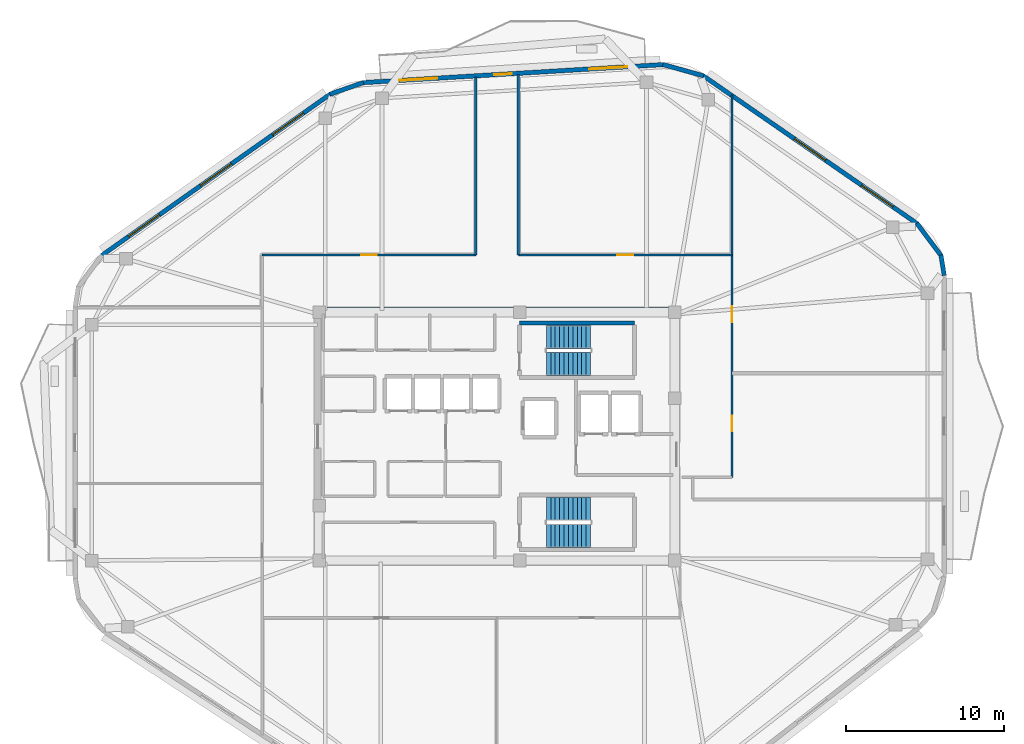
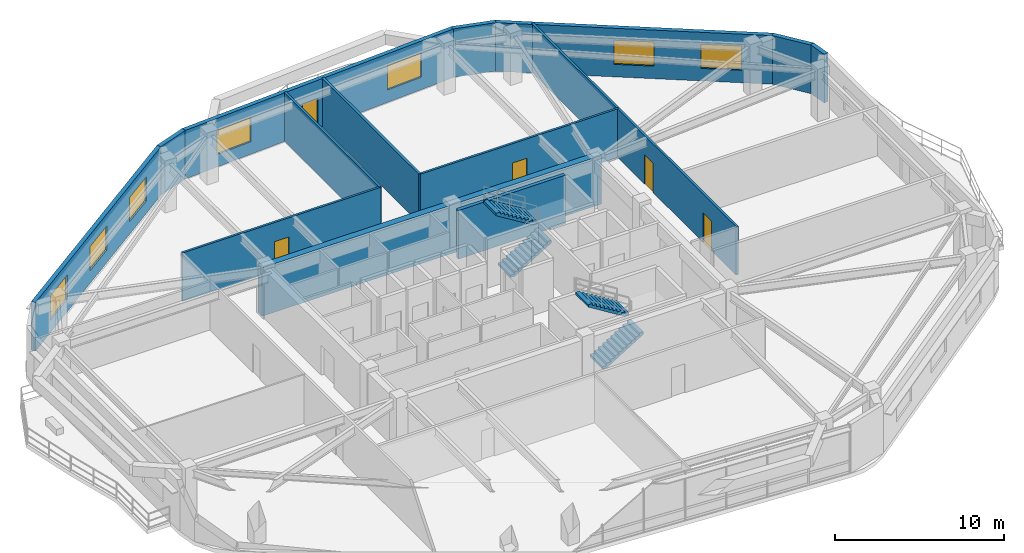
# One storey, part 9 of 12: 14 walls, 7 windows, 5 doors, 4 stair flights, 12 openings, 2 elements without a shape of their own.
"""IFC4 building model written with IfcOpenShell, lengths in metres."""

from ifc_helpers import new_model, si_unit, direction, frame, frame_2d, origin, place, context, subcontext, project, spatial, polyline, rectangle, outline, extrude, material, layer, layer_set, type_object, element, fill, aggregate, save


model = new_model("IFC4")

# Units and contexts
model_context = context("Model", 3, precision=1e-05, world=origin(), true_north=direction((0.0, 1.0)))
body_context = subcontext(model_context, "Body", "Model", "MODEL_VIEW")
ifc_project = project(units=[si_unit("LENGTHUNIT", "METRE"), si_unit("AREAUNIT", "SQUARE_METRE"), si_unit("VOLUMEUNIT", "CUBIC_METRE"), si_unit("PLANEANGLEUNIT", "RADIAN"), si_unit("MASSUNIT", "GRAM", prefix="KILO")], contexts=[model_context])

# Site, building, storey
site_placement = place(None, origin())
site = spatial("IfcSite", under=ifc_project, at=site_placement, CompositionType="ELEMENT")
building_placement = place(site_placement, origin())
building = spatial("IfcBuilding", under=site, at=building_placement, Name="Zulverin Broadcast Headquarters", CompositionType="ELEMENT")
storey_placement = place(building_placement, frame((0.0, 0.0, 232.60009765625)))
storey = spatial("IfcBuildingStorey", under=building, at=storey_placement, Name="L59", CompositionType="ELEMENT", Elevation=232.60009765625)

# Wall
ifc_material_1 = material(Name="Concrete C50/60", Category="concrete")
ifc_layer_1 = layer(ifc_material_1, 0.449951171875, Name="Concrete C50/60", Category="concrete")
ifc_layer_set_1 = layer_set([ifc_layer_1], Name="Concrete C50/60")
wall_type_1 = type_object("IfcWallType", Name="WL-CORE-450", PredefinedType="SHEAR", material=ifc_layer_set_1)
wall_1_placement = place(storey_placement, frame((25.39990234375, 33.175048828125, 0.0), z_axis=(0.0, 0.0, 1.0), x_axis=(1.0, 0.0, 0.0)))
element("IfcWall", 1, at=wall_1_placement, inside=storey, type_object=wall_type_1, Name="L59 Core North Shear Wall", PredefinedType="SHEAR", context=body_context, shape_type="SweptSolid", body=[
    extrude(rectangle(XDim=23.2001953125, YDim=0.449951171875, at=frame_2d((11.60009765625, 0.0))), origin(), (0.0, 0.0, 1.0), 3.510009765625),
])

# Wall, openings, windows
ifc_material_2 = material(Name="Insulated pale-metal clad concrete spandrel C40/50", Category="concrete")
ifc_layer_2 = layer(ifc_material_2, 0.280029296875, Name="Insulated pale-metal clad concrete spandrel C40/50", Category="concrete")
ifc_layer_set_2 = layer_set([ifc_layer_2], Name="Insulated pale-metal clad concrete spandrel C40/50")
wall_type_2 = type_object("IfcWallType", Name="WL-EXT-280", PredefinedType="STANDARD", material=ifc_layer_set_2)
wall_2_placement = place(storey_placement, frame((63.6513671875, 38.683349609375, 0.0), z_axis=(0.0, 0.0, 1.0), x_axis=(-0.822655095, 0.568540759022, 0.0)))
wall_2 = element("IfcWall", 2, at=wall_2_placement, inside=storey, type_object=wall_type_2, Name="L59 Pale-Metal Clad Spandrel Wall 4", PredefinedType="STANDARD", context=body_context, shape_type="SweptSolid", body=[
    extrude(rectangle(XDim=16.52783203125, YDim=0.280029296875, at=frame_2d((8.263916015625, 0.0))), origin(), (0.0, 0.0, 1.0), 3.510009765625),
])
opening_1_placement = place(wall_2_placement, frame((1.887939453125, 0.0, 0.89990234375)))
opening_1 = element("IfcOpeningElement", 3, at=opening_1_placement, cuts=wall_2, Name="Opening W-L59-E41", PredefinedType="OPENING", context=body_context, shape_type="SweptSolid", body=[
    extrude(rectangle(XDim=2.39990234375, YDim=1.75, at=frame_2d((1.199951171875, 0.875))), frame((0.0, 0.14990234375, 0.0), z_axis=(0.0, -1.0, 0.0), x_axis=(1.0, 0.0, 0.0)), (0.0, 0.0, 1.0), 0.300048828125),
])
opening_2_placement = place(wall_2_placement, frame((7.06396484375, 0.0, 0.89990234375)))
opening_2 = element("IfcOpeningElement", 4, at=opening_2_placement, cuts=wall_2, Name="Opening W-L59-E42", PredefinedType="OPENING", context=body_context, shape_type="SweptSolid", body=[
    extrude(rectangle(XDim=2.39990234375, YDim=1.75, at=frame_2d((1.199951171875, 0.875))), frame((0.0, 0.14990234375, 0.0), z_axis=(0.0, -1.0, 0.0), x_axis=(1.0, 0.0, 0.0)), (0.0, 0.0, 1.0), 0.300048828125),
])
ifc_material_3 = material(Name="Pale anodized aluminium frame with solar-control low-E double glazing", Category="aluminium")
window_type = type_object("IfcWindowType", Name="WIN-RIB-2400", PartitioningType="SINGLE_PANEL", PredefinedType="WINDOW", material=ifc_material_3)
window_1_placement = place(opening_1_placement, origin())
window_1 = element("IfcWindow", 5, at=window_1_placement, inside=storey, type_object=window_type, Name="L59 Ribbon Glazing Window 4 1", OverallHeight=1.75, OverallWidth=2.39990234375, PartitioningType="SINGLE_PANEL", PredefinedType="WINDOW", context=body_context, shape_type="SweptSolid", body=[
    extrude(rectangle(XDim=2.39990234375, YDim=1.75, at=frame_2d((1.199951171875, 0.875))), frame((0.0, 0.030029296875, 0.0), z_axis=(0.0, -1.0, 0.0), x_axis=(1.0, 0.0, 0.0)), (0.0, 0.0, 1.0), 0.06005859375),
])
fill(opening_1, window_1)
window_2_placement = place(opening_2_placement, origin())
window_2 = element("IfcWindow", 6, at=window_2_placement, inside=storey, type_object=window_type, Name="L59 Ribbon Glazing Window 4 2", OverallHeight=1.75, OverallWidth=2.39990234375, PartitioningType="SINGLE_PANEL", PredefinedType="WINDOW", context=body_context, shape_type="SweptSolid", body=[
    extrude(rectangle(XDim=2.39990234375, YDim=1.75, at=frame_2d((1.199951171875, 0.875))), frame((0.0, 0.030029296875, 0.0), z_axis=(0.0, -1.0, 0.0), x_axis=(1.0, 0.0, 0.0)), (0.0, 0.0, 1.0), 0.06005859375),
])
fill(opening_2, window_2)

# Wall, openings, door, windows
wall_3_placement = place(storey_placement, frame((47.56591796875, 48.775390625, 0.0), z_axis=(0.0, 0.0, 1.0), x_axis=(-0.998202767485, -0.059926913695, 0.0)))
wall_3 = element("IfcWall", 7, at=wall_3_placement, inside=storey, type_object=wall_type_2, Name="L59 Pale-Metal Clad Spandrel Wall 5", PredefinedType="STANDARD", context=body_context, shape_type="SweptSolid", body=[
    extrude(rectangle(XDim=19.111083984375, YDim=0.280029296875, at=frame_2d((9.5556640625, 0.0))), origin(), (0.0, 0.0, 1.0), 3.510009765625),
])
opening_3_placement = place(wall_3_placement, frame((9.655517578125, 0.0, 0.0)))
opening_3 = element("IfcOpeningElement", 8, at=opening_3_placement, cuts=wall_3, Name="Opening D-L59-TR5", PredefinedType="OPENING", context=body_context, shape_type="SweptSolid", body=[
    extrude(rectangle(XDim=1.10009765625, YDim=2.199951171875, at=frame_2d((0.550048828125, 1.10009765625))), frame((0.0, 0.14990234375, 0.0), z_axis=(0.0, -1.0, 0.0), x_axis=(1.0, 0.0, 0.0)), (0.0, 0.0, 1.0), 0.300048828125),
])
opening_4_placement = place(wall_3_placement, frame((2.318603515625, 0.0, 0.89990234375)))
opening_4 = element("IfcOpeningElement", 9, at=opening_4_placement, cuts=wall_3, Name="Opening W-L59-E51", PredefinedType="OPENING", context=body_context, shape_type="SweptSolid", body=[
    extrude(rectangle(XDim=2.39990234375, YDim=1.75, at=frame_2d((1.199951171875, 0.875))), frame((0.0, 0.14990234375, 0.0), z_axis=(0.0, -1.0, 0.0), x_axis=(1.0, 0.0, 0.0)), (0.0, 0.0, 1.0), 0.300048828125),
])
opening_5_placement = place(wall_3_placement, frame((14.392333984375, 0.0, 0.89990234375)))
opening_5 = element("IfcOpeningElement", 10, at=opening_5_placement, cuts=wall_3, Name="Opening W-L59-E52", PredefinedType="OPENING", context=body_context, shape_type="SweptSolid", body=[
    extrude(rectangle(XDim=2.39990234375, YDim=1.75, at=frame_2d((1.199951171875, 0.875))), frame((0.0, 0.14990234375, 0.0), z_axis=(0.0, -1.0, 0.0), x_axis=(1.0, 0.0, 0.0)), (0.0, 0.0, 1.0), 0.300048828125),
])
ifc_material_4 = material(Name="Thermally broken aluminium glazed", Category="aluminium")
door_type_1 = type_object("IfcDoorType", Name="DR-TERR-1100", OperationType="SINGLE_SWING_RIGHT", PredefinedType="DOOR", material=ifc_material_4)
door_1_placement = place(opening_3_placement, origin())
door_1 = element("IfcDoor", 11, at=door_1_placement, inside=storey, type_object=door_type_1, Name="L59 Planted Terrace Glazed Access Door 5", OperationType="SINGLE_SWING_RIGHT", OverallHeight=2.199951171875, OverallWidth=1.10009765625, PredefinedType="DOOR", context=body_context, shape_type="SweptSolid", body=[
    extrude(rectangle(XDim=1.10009765625, YDim=2.199951171875, at=frame_2d((0.550048828125, 1.10009765625))), frame((0.0, 0.02490234375, 0.0), z_axis=(0.0, -1.0, 0.0), x_axis=(1.0, 0.0, 0.0)), (0.0, 0.0, 1.0), 0.050048828125),
])
fill(opening_3, door_1)
window_3_placement = place(opening_4_placement, origin())
window_3 = element("IfcWindow", 12, at=window_3_placement, inside=storey, type_object=window_type, Name="L59 Ribbon Glazing Window 5 1", OverallHeight=1.75, OverallWidth=2.39990234375, PartitioningType="SINGLE_PANEL", PredefinedType="WINDOW", context=body_context, shape_type="SweptSolid", body=[
    extrude(rectangle(XDim=2.39990234375, YDim=1.75, at=frame_2d((1.199951171875, 0.875))), frame((0.0, 0.030029296875, 0.0), z_axis=(0.0, -1.0, 0.0), x_axis=(1.0, 0.0, 0.0)), (0.0, 0.0, 1.0), 0.06005859375),
])
fill(opening_4, window_3)
window_4_placement = place(opening_5_placement, origin())
window_4 = element("IfcWindow", 13, at=window_4_placement, inside=storey, type_object=window_type, Name="L59 Ribbon Glazing Window 5 2", OverallHeight=1.75, OverallWidth=2.39990234375, PartitioningType="SINGLE_PANEL", PredefinedType="WINDOW", context=body_context, shape_type="SweptSolid", body=[
    extrude(rectangle(XDim=2.39990234375, YDim=1.75, at=frame_2d((1.199951171875, 0.875))), frame((0.0, 0.030029296875, 0.0), z_axis=(0.0, -1.0, 0.0), x_axis=(1.0, 0.0, 0.0)), (0.0, 0.0, 1.0), 0.06005859375),
])
fill(opening_5, window_4)

# Wall, openings, windows
wall_4_placement = place(storey_placement, frame((26.443115234375, 46.91259765625, 0.0), z_axis=(0.0, 0.0, 1.0), x_axis=(-0.817024179766, -0.576603407619, 0.0)))
wall_4 = element("IfcWall", 14, at=wall_4_placement, inside=storey, type_object=wall_type_2, Name="L59 Pale-Metal Clad Spandrel Wall 6", PredefinedType="STANDARD", context=body_context, shape_type="SweptSolid", body=[
    extrude(rectangle(XDim=17.77978515625, YDim=0.280029296875, at=frame_2d((8.889892578125, 0.0))), origin(), (0.0, 0.0, 1.0), 3.510009765625),
])
opening_6_placement = place(wall_4_placement, frame((2.0966796875, 0.0, 0.89990234375)))
opening_6 = element("IfcOpeningElement", 15, at=opening_6_placement, cuts=wall_4, Name="Opening W-L59-E61", PredefinedType="OPENING", context=body_context, shape_type="SweptSolid", body=[
    extrude(rectangle(XDim=2.39990234375, YDim=1.75, at=frame_2d((1.199951171875, 0.875))), frame((0.0, 0.14990234375, 0.0), z_axis=(0.0, -1.0, 0.0), x_axis=(1.0, 0.0, 0.0)), (0.0, 0.0, 1.0), 0.300048828125),
])
opening_7_placement = place(wall_4_placement, frame((7.68994140625, 0.0, 0.89990234375)))
opening_7 = element("IfcOpeningElement", 16, at=opening_7_placement, cuts=wall_4, Name="Opening W-L59-E62", PredefinedType="OPENING", context=body_context, shape_type="SweptSolid", body=[
    extrude(rectangle(XDim=2.39990234375, YDim=1.75, at=frame_2d((1.199951171875, 0.875))), frame((0.0, 0.14990234375, 0.0), z_axis=(0.0, -1.0, 0.0), x_axis=(1.0, 0.0, 0.0)), (0.0, 0.0, 1.0), 0.300048828125),
])
opening_8_placement = place(wall_4_placement, frame((13.283203125, 0.0, 0.89990234375)))
opening_8 = element("IfcOpeningElement", 17, at=opening_8_placement, cuts=wall_4, Name="Opening W-L59-E63", PredefinedType="OPENING", context=body_context, shape_type="SweptSolid", body=[
    extrude(rectangle(XDim=2.39990234375, YDim=1.75, at=frame_2d((1.199951171875, 0.875))), frame((0.0, 0.14990234375, 0.0), z_axis=(0.0, -1.0, 0.0), x_axis=(1.0, 0.0, 0.0)), (0.0, 0.0, 1.0), 0.300048828125),
])
window_5_placement = place(opening_6_placement, origin())
window_5 = element("IfcWindow", 18, at=window_5_placement, inside=storey, type_object=window_type, Name="L59 Ribbon Glazing Window 6 1", OverallHeight=1.75, OverallWidth=2.39990234375, PartitioningType="SINGLE_PANEL", PredefinedType="WINDOW", context=body_context, shape_type="SweptSolid", body=[
    extrude(rectangle(XDim=2.39990234375, YDim=1.75, at=frame_2d((1.199951171875, 0.875))), frame((0.0, 0.030029296875, 0.0), z_axis=(0.0, -1.0, 0.0), x_axis=(1.0, 0.0, 0.0)), (0.0, 0.0, 1.0), 0.06005859375),
])
fill(opening_6, window_5)
window_6_placement = place(opening_7_placement, origin())
window_6 = element("IfcWindow", 19, at=window_6_placement, inside=storey, type_object=window_type, Name="L59 Ribbon Glazing Window 6 2", OverallHeight=1.75, OverallWidth=2.39990234375, PartitioningType="SINGLE_PANEL", PredefinedType="WINDOW", context=body_context, shape_type="SweptSolid", body=[
    extrude(rectangle(XDim=2.39990234375, YDim=1.75, at=frame_2d((1.199951171875, 0.875))), frame((0.0, 0.030029296875, 0.0), z_axis=(0.0, -1.0, 0.0), x_axis=(1.0, 0.0, 0.0)), (0.0, 0.0, 1.0), 0.06005859375),
])
fill(opening_7, window_6)
window_7_placement = place(opening_8_placement, origin())
window_7 = element("IfcWindow", 20, at=window_7_placement, inside=storey, type_object=window_type, Name="L59 Ribbon Glazing Window 6 3", OverallHeight=1.75, OverallWidth=2.39990234375, PartitioningType="SINGLE_PANEL", PredefinedType="WINDOW", context=body_context, shape_type="SweptSolid", body=[
    extrude(rectangle(XDim=2.39990234375, YDim=1.75, at=frame_2d((1.199951171875, 0.875))), frame((0.0, 0.030029296875, 0.0), z_axis=(0.0, -1.0, 0.0), x_axis=(1.0, 0.0, 0.0)), (0.0, 0.0, 1.0), 0.06005859375),
])
fill(opening_8, window_7)

# Walls
wall_5_placement = place(storey_placement, frame((65.36181640625, 35.4033203125, 0.0), z_axis=(0.0, 0.0, 1.0), x_axis=(-0.160271674114, 0.987072940809, 0.0)))
element("IfcWall", 21, at=wall_5_placement, inside=storey, type_object=wall_type_2, Name="L59 Wind-Shaped Corner Spandrel Wall 3-1", PredefinedType="STANDARD", context=body_context, shape_type="SweptSolid", body=[
    extrude(rectangle(XDim=1.314697265625, YDim=0.280029296875, at=frame_2d((0.6572265625, 0.0))), origin(), (0.0, 0.0, 1.0), 3.510009765625),
])
wall_6_placement = place(storey_placement, frame((65.17724609375, 36.63916015625, 0.0), z_axis=(0.0, 0.0, 1.0), x_axis=(-0.600436386467, 0.799672524104, 0.0)))
element("IfcWall", 22, at=wall_6_placement, inside=storey, type_object=wall_type_2, Name="L59 Wind-Shaped Corner Spandrel Wall 3-2", PredefinedType="STANDARD", context=body_context, shape_type="SweptSolid", body=[
    extrude(rectangle(XDim=2.595458984375, YDim=0.280029296875, at=frame_2d((1.2978515625, 0.0))), origin(), (0.0, 0.0, 1.0), 3.510009765625),
])
wall_7_placement = place(storey_placement, frame((50.096435546875, 48.060546875, 0.0), z_axis=(0.0, 0.0, 1.0), x_axis=(-0.963108887091, 0.269112005688, 0.0)))
element("IfcWall", 23, at=wall_7_placement, inside=storey, type_object=wall_type_2, Name="L59 Wind-Shaped Corner Spandrel Wall 4-1", PredefinedType="STANDARD", context=body_context, shape_type="SweptSolid", body=[
    extrude(rectangle(XDim=2.67529296875, YDim=0.280029296875, at=frame_2d((1.337646484375, 0.0))), origin(), (0.0, 0.0, 1.0), 3.510009765625),
])
wall_8_placement = place(storey_placement, frame((28.527099609375, 47.6376953125, 0.0), z_axis=(0.0, 0.0, 1.0), x_axis=(-0.943686979207, -0.330839667022, 0.0)))
element("IfcWall", 24, at=wall_8_placement, inside=storey, type_object=wall_type_2, Name="L59 Wind-Shaped Corner Spandrel Wall 5-1", PredefinedType="STANDARD", context=body_context, shape_type="SweptSolid", body=[
    extrude(rectangle(XDim=2.244873046875, YDim=0.280029296875, at=frame_2d((1.12255859375, 0.0))), origin(), (0.0, 0.0, 1.0), 3.510009765625),
])

# Wall, openings, doors
ifc_material_5 = material(Name="Fire-rated gypsum stud partition", Category="gypsum")
ifc_layer_3 = layer(ifc_material_5, 0.14990234375, Name="Fire-rated gypsum stud partition", Category="gypsum")
ifc_layer_set_3 = layer_set([ifc_layer_3], Name="Fire-rated gypsum stud partition")
wall_type_3 = type_object("IfcWallType", Name="WL-PART-150", PredefinedType="PARTITIONING", material=ifc_layer_set_3)
wall_9_placement = place(storey_placement, frame((51.89990234375, 22.60009765625, 0.0), z_axis=(0.0, 0.0, 1.0), x_axis=(0.0, 1.0, 0.0)))
wall_9 = element("IfcWall", 25, at=wall_9_placement, inside=storey, type_object=wall_type_3, Name="L59 Gallery Partition Wall CG-01", PredefinedType="PARTITIONING", context=body_context, shape_type="SweptSolid", body=[
    extrude(rectangle(XDim=24.23486328125, YDim=0.14990234375, at=frame_2d((12.117431640625, 0.0))), origin(), (0.0, 0.0, 1.0), 3.510009765625),
])
opening_9_placement = place(wall_9_placement, frame((2.919921875, 0.0, 0.0)))
opening_9 = element("IfcOpeningElement", 26, at=opening_9_placement, cuts=wall_9, Name="Opening D-L59-07", PredefinedType="OPENING", context=body_context, shape_type="SweptSolid", body=[
    extrude(rectangle(XDim=1.0, YDim=2.1201171875, at=frame_2d((0.5, 1.06005859375))), frame((0.0, 0.0849609375, 0.0), z_axis=(0.0, -1.0, 0.0), x_axis=(1.0, 0.0, 0.0)), (0.0, 0.0, 1.0), 0.169921875),
])
opening_10_placement = place(wall_9_placement, frame((9.85009765625, 0.0, 0.0)))
opening_10 = element("IfcOpeningElement", 27, at=opening_10_placement, cuts=wall_9, Name="Opening D-L59-08", PredefinedType="OPENING", context=body_context, shape_type="SweptSolid", body=[
    extrude(rectangle(XDim=1.0, YDim=2.1201171875, at=frame_2d((0.5, 1.06005859375))), frame((0.0, 0.0849609375, 0.0), z_axis=(0.0, -1.0, 0.0), x_axis=(1.0, 0.0, 0.0)), (0.0, 0.0, 1.0), 0.169921875),
])
ifc_material_6 = material(Name="Hardwood veneer acoustic leaf", Category="wood")
door_type_2 = type_object("IfcDoorType", Name="DR-OFF-1000", OperationType="SINGLE_SWING_LEFT", PredefinedType="DOOR", material=ifc_material_6)
door_2_placement = place(opening_9_placement, origin())
door_2 = element("IfcDoor", 28, at=door_2_placement, inside=storey, type_object=door_type_2, Name="L59 Flagship Talk-Show Office Door", OperationType="SINGLE_SWING_RIGHT", OverallHeight=2.1201171875, OverallWidth=1.0, PredefinedType="DOOR", context=body_context, shape_type="SweptSolid", body=[
    extrude(rectangle(XDim=1.0, YDim=2.1201171875, at=frame_2d((0.5, 1.06005859375))), frame((0.0, 0.02490234375, 0.0), z_axis=(0.0, -1.0, 0.0), x_axis=(1.0, 0.0, 0.0)), (0.0, 0.0, 1.0), 0.050048828125),
])
fill(opening_9, door_2)
door_3_placement = place(opening_10_placement, origin())
door_3 = element("IfcDoor", 29, at=door_3_placement, inside=storey, type_object=door_type_2, Name="L59 Green Room Office Door", OperationType="SINGLE_SWING_LEFT", OverallHeight=2.1201171875, OverallWidth=1.0, PredefinedType="DOOR", context=body_context, shape_type="SweptSolid", body=[
    extrude(rectangle(XDim=1.0, YDim=2.1201171875, at=frame_2d((0.5, 1.06005859375))), frame((0.0, 0.02490234375, 0.0), z_axis=(0.0, -1.0, 0.0), x_axis=(1.0, 0.0, 0.0)), (0.0, 0.0, 1.0), 0.050048828125),
])
fill(opening_10, door_3)

# Wall
wall_10_placement = place(storey_placement, frame((35.64990234375, 36.699951171875, 0.0), z_axis=(0.0, 0.0, 1.0), x_axis=(0.0, 1.0, 0.0)))
element("IfcWall", 30, at=wall_10_placement, inside=storey, type_object=wall_type_3, Name="L59 Gallery Partition Wall CG-06", PredefinedType="PARTITIONING", context=body_context, shape_type="SweptSolid", body=[
    extrude(rectangle(XDim=11.29541015625, YDim=0.14990234375, at=frame_2d((5.647705078125, 0.0))), origin(), (0.0, 0.0, 1.0), 3.510009765625),
])

# Wall, opening, door
wall_11_placement = place(storey_placement, frame((22.10009765625, 36.699951171875, 0.0), z_axis=(0.0, 0.0, 1.0), x_axis=(1.0, 0.0, 0.0)))
wall_11 = element("IfcWall", 31, at=wall_11_placement, inside=storey, type_object=wall_type_3, Name="L59 Gallery Partition Wall CG-14", PredefinedType="PARTITIONING", context=body_context, shape_type="SweptSolid", body=[
    extrude(rectangle(XDim=13.5498046875, YDim=0.14990234375, at=frame_2d((6.77490234375, 0.0))), origin(), (0.0, 0.0, 1.0), 3.510009765625),
])
opening_11_placement = place(wall_11_placement, frame((6.27490234375, 0.0, 0.0)))
opening_11 = element("IfcOpeningElement", 32, at=opening_11_placement, cuts=wall_11, Name="Opening D-L59-01", PredefinedType="OPENING", context=body_context, shape_type="SweptSolid", body=[
    extrude(rectangle(XDim=1.0, YDim=2.1201171875, at=frame_2d((0.5, 1.06005859375))), frame((0.0, 0.0849609375, 0.0), z_axis=(0.0, -1.0, 0.0), x_axis=(1.0, 0.0, 0.0)), (0.0, 0.0, 1.0), 0.169921875),
])
door_4_placement = place(opening_11_placement, origin())
door_4 = element("IfcDoor", 33, at=door_4_placement, inside=storey, type_object=door_type_2, Name="L59 Flagship Talk-Show Office Door", OperationType="SINGLE_SWING_RIGHT", OverallHeight=2.1201171875, OverallWidth=1.0, PredefinedType="DOOR", context=body_context, shape_type="SweptSolid", body=[
    extrude(rectangle(XDim=1.0, YDim=2.1201171875, at=frame_2d((0.5, 1.06005859375))), frame((0.0, 0.02490234375, 0.0), z_axis=(0.0, -1.0, 0.0), x_axis=(1.0, 0.0, 0.0)), (0.0, 0.0, 1.0), 0.050048828125),
])
fill(opening_11, door_4)

wall_12_placement = place(storey_placement, frame((38.35009765625, 36.699951171875, 0.0), z_axis=(0.0, 0.0, 1.0), x_axis=(1.0, 0.0, 0.0)))
wall_12 = element("IfcWall", 34, at=wall_12_placement, inside=storey, type_object=wall_type_3, Name="L59 Gallery Partition Wall CG-15", PredefinedType="PARTITIONING", context=body_context, shape_type="SweptSolid", body=[
    extrude(rectangle(XDim=13.5498046875, YDim=0.14990234375, at=frame_2d((6.77490234375, 0.0))), origin(), (0.0, 0.0, 1.0), 3.510009765625),
])
opening_12_placement = place(wall_12_placement, frame((6.27490234375, 0.0, 0.0)))
opening_12 = element("IfcOpeningElement", 35, at=opening_12_placement, cuts=wall_12, Name="Opening D-L59-02", PredefinedType="OPENING", context=body_context, shape_type="SweptSolid", body=[
    extrude(rectangle(XDim=1.0, YDim=2.1201171875, at=frame_2d((0.5, 1.06005859375))), frame((0.0, 0.0849609375, 0.0), z_axis=(0.0, -1.0, 0.0), x_axis=(1.0, 0.0, 0.0)), (0.0, 0.0, 1.0), 0.169921875),
])
door_5_placement = place(opening_12_placement, origin())
door_5 = element("IfcDoor", 36, at=door_5_placement, inside=storey, type_object=door_type_2, Name="L59 Green Room Office Door", OperationType="SINGLE_SWING_LEFT", OverallHeight=2.1201171875, OverallWidth=1.0, PredefinedType="DOOR", context=body_context, shape_type="SweptSolid", body=[
    extrude(rectangle(XDim=1.0, YDim=2.1201171875, at=frame_2d((0.5, 1.06005859375))), frame((0.0, 0.02490234375, 0.0), z_axis=(0.0, -1.0, 0.0), x_axis=(1.0, 0.0, 0.0)), (0.0, 0.0, 1.0), 0.050048828125),
])
fill(opening_12, door_5)

# Walls
ifc_material_7 = material(Name="Fire-rated acoustic stud wall", Category="gypsum")
ifc_layer_4 = layer(ifc_material_7, 0.175048828125, Name="Fire-rated acoustic stud wall", Category="gypsum")
ifc_layer_set_4 = layer_set([ifc_layer_4], Name="Fire-rated acoustic stud wall")
wall_type_4 = type_object("IfcWallType", Name="WL-PART-175", PredefinedType="PARTITIONING", material=ifc_layer_set_4)
wall_13_placement = place(storey_placement, frame((38.35009765625, 36.699951171875, 0.0), z_axis=(0.0, 0.0, 1.0), x_axis=(0.0, 1.0, 0.0)))
element("IfcWall", 37, at=wall_13_placement, inside=storey, type_object=wall_type_4, Name="L59 Gallery Partition Wall CG-04", PredefinedType="PARTITIONING", context=body_context, shape_type="SweptSolid", body=[
    extrude(rectangle(XDim=11.45751953125, YDim=0.175048828125, at=frame_2d((5.728759765625, 0.0))), origin(), (0.0, 0.0, 1.0), 3.510009765625),
])
ifc_layer_5 = layer(ifc_material_1, 0.25, Name="Concrete C50/60", Category="concrete")
ifc_layer_set_5 = layer_set([ifc_layer_5], Name="Concrete C50/60")
wall_type_5 = type_object("IfcWallType", Name="WL-SHAFT-250", PredefinedType="SHEAR", material=ifc_layer_set_5)
wall_14_placement = place(storey_placement, frame((38.425048828125, 32.375, 0.0), z_axis=(0.0, 0.0, 1.0), x_axis=(1.0, 0.0, 0.0)))
element("IfcWall", 38, at=wall_14_placement, inside=storey, type_object=wall_type_5, Name="L59 ST-1 Enclosure Wall N", PredefinedType="SHEAR", context=body_context, shape_type="SweptSolid", body=[
    extrude(rectangle(XDim=7.300048828125, YDim=0.25, at=frame_2d((3.64990234375, 0.0))), origin(), (0.0, 0.0, 1.0), 3.510009765625),
])

# Stair, stair flights
ifc_material_8 = material(Name="Concrete C40/50", Category="concrete")
stair_type = type_object("IfcStairType", Name="ST-CORE-1500", PredefinedType="HALF_TURN_STAIR", material=ifc_material_8)
stair_1_placement = place(storey_placement, origin())
stair_1 = element("IfcStair", 39, at=stair_1_placement, inside=storey, type_object=stair_type, Name="L59 Core Exit Stair ST-1", PredefinedType="HALF_TURN_STAIR")
stair_flight_type = type_object("IfcStairFlightType", Name="SF-CORE-1500", PredefinedType="STRAIGHT", material=ifc_material_8)
stair_flight_1_placement = place(storey_placement, frame((40.1298828125, 29.800048828125, 0.0), z_axis=(0.0, 0.0, 1.0), x_axis=(1.0, 0.0, 0.0)))
stair_flight_1 = element("IfcStairFlight", 40, at=stair_flight_1_placement, type_object=stair_flight_type, Name="ST-1 flight 1", NumberOfRisers=11, NumberOfTreads=10, PredefinedType="STRAIGHT", RiserHeight=0.172727273, TreadLength=0.28, context=body_context, shape_type="SweptSolid", body=[
    extrude(outline(polyline([(0.0, 0.0), (0.0, 0.172607421875), (0.280029296875, 0.172607421875), (0.280029296875, 0.345458984375), (0.56005859375, 0.345458984375), (0.56005859375, 0.51806640625), (0.840087890625, 0.51806640625), (0.840087890625, 0.69091796875), (1.1201171875, 0.69091796875), (1.1201171875, 0.863525390625), (1.39990234375, 0.863525390625), (1.39990234375, 1.036376953125), (1.679931640625, 1.036376953125), (1.679931640625, 1.208984375), (1.9599609375, 1.208984375), (1.9599609375, 1.3818359375), (2.239990234375, 1.3818359375), (2.239990234375, 1.554443359375), (2.52001953125, 1.554443359375), (2.52001953125, 1.727294921875), (2.800048828125, 1.727294921875), (2.800048828125, 1.89990234375), (2.800048828125, 1.551025390625), (0.285400390625, 0.0), (0.0, 0.0)])), frame((0.0, 0.75, 0.0), z_axis=(0.0, -1.0, 0.0), x_axis=(1.0, 0.0, 0.0)), (0.0, 0.0, 1.0), 1.5),
])
stair_flight_2_placement = place(storey_placement, frame((42.929931640625, 31.5, 1.89990234375), z_axis=(0.0, 0.0, 1.0), x_axis=(-1.0, 0.0, 0.0)))
stair_flight_2 = element("IfcStairFlight", 41, at=stair_flight_2_placement, type_object=stair_flight_type, Name="ST-1 flight 2", NumberOfRisers=11, NumberOfTreads=10, PredefinedType="STRAIGHT", RiserHeight=0.172727273, TreadLength=0.28, context=body_context, shape_type="SweptSolid", body=[
    extrude(outline(polyline([(0.0, 0.0), (0.0, 0.172607421875), (0.280029296875, 0.172607421875), (0.280029296875, 0.345458984375), (0.56005859375, 0.345458984375), (0.56005859375, 0.51806640625), (0.840087890625, 0.51806640625), (0.840087890625, 0.69091796875), (1.1201171875, 0.69091796875), (1.1201171875, 0.863525390625), (1.39990234375, 0.863525390625), (1.39990234375, 1.036376953125), (1.679931640625, 1.036376953125), (1.679931640625, 1.208984375), (1.9599609375, 1.208984375), (1.9599609375, 1.3818359375), (2.239990234375, 1.3818359375), (2.239990234375, 1.554443359375), (2.52001953125, 1.554443359375), (2.52001953125, 1.727294921875), (2.800048828125, 1.727294921875), (2.800048828125, 1.89990234375), (2.800048828125, 1.551025390625), (0.285400390625, 0.0), (0.0, 0.0)])), frame((0.0, 0.75, 0.0), z_axis=(0.0, -1.0, 0.0), x_axis=(1.0, 0.0, 0.0)), (0.0, 0.0, 1.0), 1.5),
])
aggregate(stair_1, [stair_flight_1, stair_flight_2])

stair_2_placement = place(storey_placement, origin())
stair_2 = element("IfcStair", 42, at=stair_2_placement, inside=storey, type_object=stair_type, Name="L59 Core Exit Stair ST-2", PredefinedType="HALF_TURN_STAIR")
stair_flight_3_placement = place(storey_placement, frame((40.1298828125, 18.89990234375, 0.0), z_axis=(0.0, 0.0, 1.0), x_axis=(1.0, 0.0, 0.0)))
stair_flight_3 = element("IfcStairFlight", 43, at=stair_flight_3_placement, type_object=stair_flight_type, Name="ST-2 flight 1", NumberOfRisers=11, NumberOfTreads=10, PredefinedType="STRAIGHT", RiserHeight=0.172727273, TreadLength=0.28, context=body_context, shape_type="SweptSolid", body=[
    extrude(outline(polyline([(0.0, 0.0), (0.0, 0.172607421875), (0.280029296875, 0.172607421875), (0.280029296875, 0.345458984375), (0.56005859375, 0.345458984375), (0.56005859375, 0.51806640625), (0.840087890625, 0.51806640625), (0.840087890625, 0.69091796875), (1.1201171875, 0.69091796875), (1.1201171875, 0.863525390625), (1.39990234375, 0.863525390625), (1.39990234375, 1.036376953125), (1.679931640625, 1.036376953125), (1.679931640625, 1.208984375), (1.9599609375, 1.208984375), (1.9599609375, 1.3818359375), (2.239990234375, 1.3818359375), (2.239990234375, 1.554443359375), (2.52001953125, 1.554443359375), (2.52001953125, 1.727294921875), (2.800048828125, 1.727294921875), (2.800048828125, 1.89990234375), (2.800048828125, 1.551025390625), (0.285400390625, 0.0), (0.0, 0.0)])), frame((0.0, 0.75, 0.0), z_axis=(0.0, -1.0, 0.0), x_axis=(1.0, 0.0, 0.0)), (0.0, 0.0, 1.0), 1.5),
])
stair_flight_4_placement = place(storey_placement, frame((42.929931640625, 20.60009765625, 1.89990234375), z_axis=(0.0, 0.0, 1.0), x_axis=(-1.0, 0.0, 0.0)))
stair_flight_4 = element("IfcStairFlight", 44, at=stair_flight_4_placement, type_object=stair_flight_type, Name="ST-2 flight 2", NumberOfRisers=11, NumberOfTreads=10, PredefinedType="STRAIGHT", RiserHeight=0.172727273, TreadLength=0.28, context=body_context, shape_type="SweptSolid", body=[
    extrude(outline(polyline([(0.0, 0.0), (0.0, 0.172607421875), (0.280029296875, 0.172607421875), (0.280029296875, 0.345458984375), (0.56005859375, 0.345458984375), (0.56005859375, 0.51806640625), (0.840087890625, 0.51806640625), (0.840087890625, 0.69091796875), (1.1201171875, 0.69091796875), (1.1201171875, 0.863525390625), (1.39990234375, 0.863525390625), (1.39990234375, 1.036376953125), (1.679931640625, 1.036376953125), (1.679931640625, 1.208984375), (1.9599609375, 1.208984375), (1.9599609375, 1.3818359375), (2.239990234375, 1.3818359375), (2.239990234375, 1.554443359375), (2.52001953125, 1.554443359375), (2.52001953125, 1.727294921875), (2.800048828125, 1.727294921875), (2.800048828125, 1.89990234375), (2.800048828125, 1.551025390625), (0.285400390625, 0.0), (0.0, 0.0)])), frame((0.0, 0.75, 0.0), z_axis=(0.0, -1.0, 0.0), x_axis=(1.0, 0.0, 0.0)), (0.0, 0.0, 1.0), 1.5),
])
aggregate(stair_2, [stair_flight_3, stair_flight_4])

save(model, "model.ifc")
